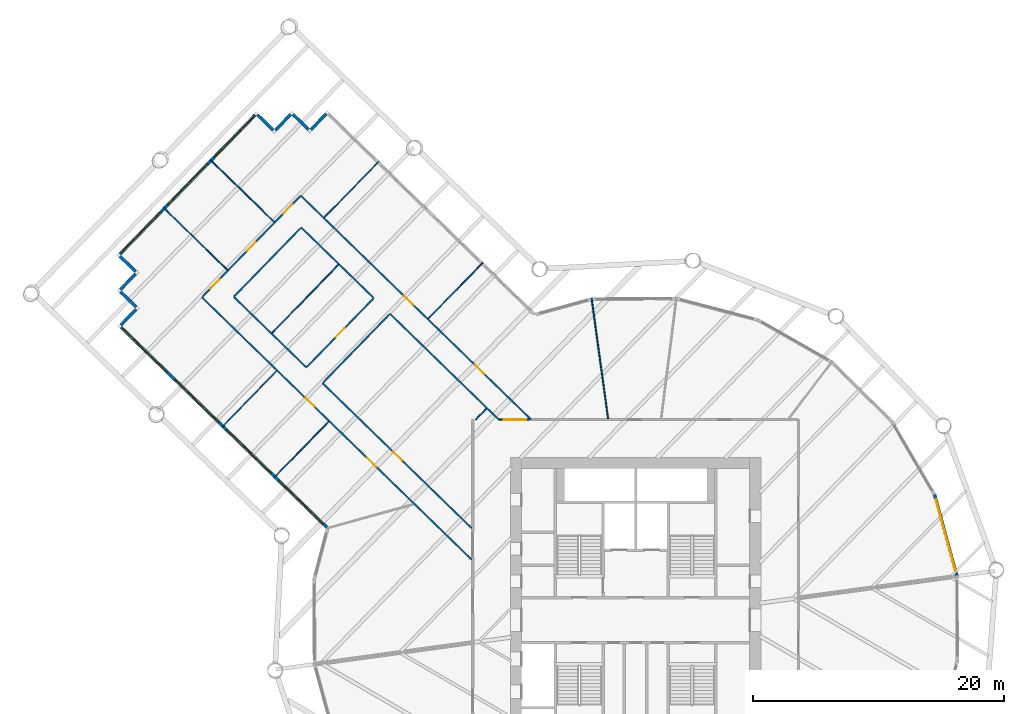
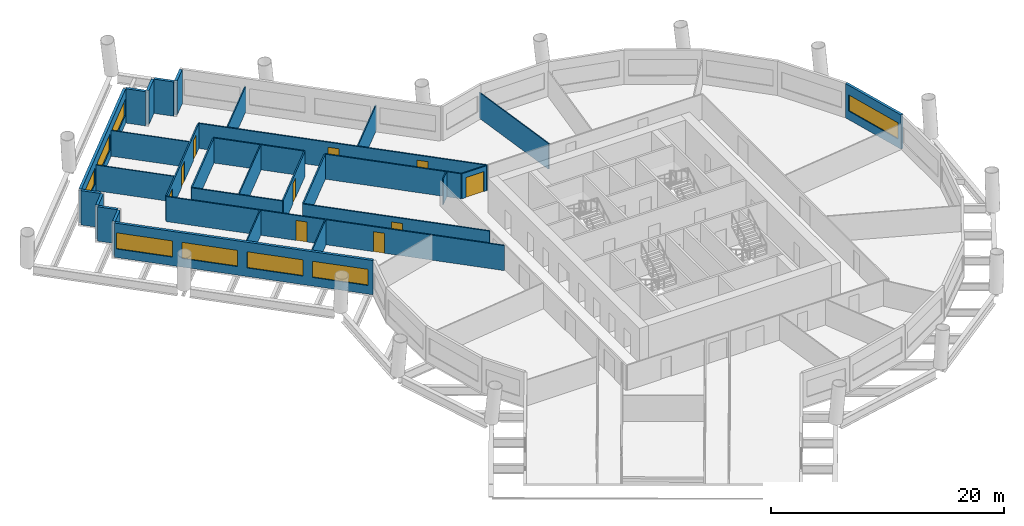
# One storey, part 6 of 12: 31 walls, 10 doors, 8 windows, 18 openings.
"""IFC4 building model written with IfcOpenShell, lengths in metres."""

import ifcopenshell
import ifcopenshell.guid

model = None  # the IFC model being written
_history = None  # IfcOwnerHistory: only IFC2X3 demands one
_inside = {}  # id of a spatial element -> (the spatial element, [elements in it])
_under = {}  # id of a project, library or spatial element -> (it, [spatial elements below it])
_declared = {}  # id of a project -> (the project, [libraries it declares])
_typed = {}  # id of a type object -> (the type object, [elements of that type])
_made_of = {}  # id of a material, layer set ... -> (it, [elements and type objects made of it])


def new_model(schema):
    """Start an empty IFC model of exactly this schema.

    Asked for "IFC4X3", IfcOpenShell would pick the latest addendum, in which some entities
    have other attributes; the version numbers below select the first issue.
    IFC2X3 requires an IfcOwnerHistory on every rooted entity: one is made here for all.
    """
    global model, _history
    if schema == "IFC4X3":
        model = ifcopenshell.file(schema_version=(4, 3, 0, 0))
    else:
        model = ifcopenshell.file(schema=schema)
    _inside.clear()
    _under.clear()
    _declared.clear()
    _typed.clear()
    _made_of.clear()
    _history = None
    if model.schema == "IFC2X3":
        org = make("IfcOrganization", Name="unknown")
        user = make(
            "IfcPersonAndOrganization",
            ThePerson=make("IfcPerson", FamilyName="unknown"),
            TheOrganization=org,
        )
        app = make(
            "IfcApplication",
            ApplicationDeveloper=org,
            Version="unknown",
            ApplicationFullName="unknown",
            ApplicationIdentifier="unknown",
        )
        _history = make(
            "IfcOwnerHistory",
            OwningUser=user,
            OwningApplication=app,
            ChangeAction="ADDED",
            CreationDate=0,
        )
    return model


def make(cls, **values):
    """One entity of the class cls with the attributes given. An attribute that is None is left unset."""
    return model.create_entity(
        cls, **{name: value for name, value in values.items() if value is not None}
    )


def rooted(cls, **values):
    """An entity with a GlobalId (a new one), such as an element, a storey or a relation."""
    return make(cls, GlobalId=ifcopenshell.guid.new(), OwnerHistory=_history, **values)


def si_unit(unit_type, name, prefix=None):
    """IfcSIUnit, for example si_unit("LENGTHUNIT", "METRE", prefix="MILLI")."""
    return make("IfcSIUnit", UnitType=unit_type, Prefix=prefix, Name=name)


def assignment(units):
    """IfcUnitAssignment: the units of a project."""
    return None if units is None else make("IfcUnitAssignment", Units=units)


def point(xyz):
    """IfcCartesianPoint."""
    return None if xyz is None else make("IfcCartesianPoint", Coordinates=xyz)


def direction(xyz):
    """IfcDirection."""
    return None if xyz is None else make("IfcDirection", DirectionRatios=xyz)


def frame(location, z_axis=None, x_axis=None):
    """IfcAxis2Placement3D, a coordinate frame: its origin and axes. An axis left out is left unset."""
    return make(
        "IfcAxis2Placement3D",
        Location=point(location),
        Axis=direction(z_axis),
        RefDirection=direction(x_axis),
    )


def frame_2d(location, x_axis=None):
    """IfcAxis2Placement2D, a coordinate frame in the plane: its origin and x axis."""
    return make(
        "IfcAxis2Placement2D", Location=point(location), RefDirection=direction(x_axis)
    )


def origin():
    """The frame at (0, 0, 0) with its axes left unset."""
    return frame((0.0, 0.0, 0.0))


def place(relative_to, where):
    """IfcLocalPlacement: puts the frame where relative to a parent placement (None: the world)."""
    return make(
        "IfcLocalPlacement", PlacementRelTo=relative_to, RelativePlacement=where
    )


def context(
    kind, dimensions, precision=None, world=None, true_north=None, identifier=None
):
    """IfcGeometricRepresentationContext, for example the 3D "Model" context."""
    return make(
        "IfcGeometricRepresentationContext",
        ContextIdentifier=identifier,
        ContextType=kind,
        CoordinateSpaceDimension=dimensions,
        Precision=precision,
        WorldCoordinateSystem=world,
        TrueNorth=true_north,
    )


def subcontext(parent, identifier, kind, view, scale=None):
    """IfcGeometricRepresentationSubContext, for example "Body" below "Model"."""
    return make(
        "IfcGeometricRepresentationSubContext",
        ContextIdentifier=identifier,
        ContextType=kind,
        ParentContext=parent,
        TargetScale=scale,
        TargetView=view,
    )


def project(units=None, contexts=None):
    """IfcProject with its units and contexts."""
    return rooted(
        "IfcProject",
        Name="project",
        RepresentationContexts=contexts,
        UnitsInContext=assignment(units),
    )


def spatial(cls, under=None, at=None, **own):
    """A site, building, storey or space (cls), placed at a placement, below another one or the project."""
    s = rooted(cls, ObjectPlacement=at, **own)
    if under is not None:
        _under.setdefault(under.id(), (under, []))[1].append(s)
    return s


def profile(cls, at=None, kind="AREA", **sizes):
    """A parametric profile (cls). Its sizes go by their IFC names, for example OverallWidth=200.0."""
    return make(cls, ProfileType=kind, Position=at, **sizes)


def rectangle(**sizes):
    """IfcRectangleProfileDef."""
    return profile("IfcRectangleProfileDef", **sizes)


def extrude(swept, where, along, depth):
    """IfcExtrudedAreaSolid: the profile swept, set in the frame where, extruded along a direction by depth."""
    return make(
        "IfcExtrudedAreaSolid",
        SweptArea=swept,
        Position=where,
        ExtrudedDirection=direction(along),
        Depth=depth,
    )


def shape(context_of_items, identifier, shape_type, items):
    """IfcShapeRepresentation: the items that make up one representation, for example the "Body"."""
    return make(
        "IfcShapeRepresentation",
        ContextOfItems=context_of_items,
        RepresentationIdentifier=identifier,
        RepresentationType=shape_type,
        Items=items,
    )


def material(Name=None, Category=None):
    """IfcMaterial."""
    return make("IfcMaterial", Name=Name, Category=Category)


def layer(
    of_material, thickness, ventilated=None, Name=None, Category=None, Priority=None
):
    """IfcMaterialLayer: one layer of a wall or slab, of a material (None: an air gap)."""
    return make(
        "IfcMaterialLayer",
        Material=of_material,
        LayerThickness=thickness,
        IsVentilated=ventilated,
        Name=Name,
        Category=Category,
        Priority=Priority,
    )


def layer_set(layers, Name=None):
    """IfcMaterialLayerSet."""
    return make("IfcMaterialLayerSet", MaterialLayers=layers, LayerSetName=Name)


def made_of(thing, what):
    """Note that an element or type object is made of a material, layer set ...; save() writes the relation."""
    if what is not None:
        _made_of.setdefault(what.id(), (what, []))[1].append(thing)
    return thing


def type_object(cls, material=None, **own):
    """A type object (cls), such as IfcWallType, which elements share."""
    return made_of(rooted(cls, **own), material)


def element(
    cls,
    number,
    at=None,
    inside=None,
    cuts=None,
    type_object=None,
    material=None,
    context=None,
    identifier="Body",
    shape_type=None,
    held_by="IfcProductDefinitionShape",
    body=None,
    shapes=None,
    **own,
):
    """One element of the class cls, such as IfcWall. Its Tag is "e" and its number.

    at: its placement. inside: the storey or other place that contains it. cuts: it is an
    opening in that element (IfcRelVoidsElement). A single representation is given by context,
    identifier, shape_type and body (its items); several are given by shapes. held_by: the class
    of the entity that holds the representations. save() writes the other relations.
    """
    e = rooted(cls, Tag="e%d" % number, ObjectPlacement=at, **own)
    if body is not None:
        shapes = [shape(context, identifier, shape_type, body)]
    if shapes is not None:
        e.Representation = make(held_by, Representations=shapes)
    if inside is not None:
        _inside.setdefault(inside.id(), (inside, []))[1].append(e)
    if cuts is not None:
        rooted(
            "IfcRelVoidsElement", RelatingBuildingElement=cuts, RelatedOpeningElement=e
        )
    if type_object is not None:
        _typed.setdefault(type_object.id(), (type_object, []))[1].append(e)
    return made_of(e, material)


def fill(opening, filler):
    """IfcRelFillsElement: the door or window that sits in an opening."""
    return rooted(
        "IfcRelFillsElement",
        RelatingOpeningElement=opening,
        RelatedBuildingElement=filler,
    )


def aggregate(whole, parts):
    """IfcRelAggregates: a whole, such as a stair, and the parts it consists of."""
    return rooted("IfcRelAggregates", RelatingObject=whole, RelatedObjects=parts)


def save(model, path):
    """Write the relations noted so far, then the file.

    IfcRelAggregates (storeys below a building ...), IfcRelContainedInSpatialStructure (elements
    in a storey), IfcRelDefinesByType, IfcRelAssociatesMaterial and IfcRelDeclares: one each for
    every whole, place, type object, material and project.
    """
    for whole, parts in _under.values():
        aggregate(whole, parts)
    for where, things in _inside.values():
        rooted(
            "IfcRelContainedInSpatialStructure",
            RelatedElements=things,
            RelatingStructure=where,
        )
    for kind, things in _typed.values():
        rooted("IfcRelDefinesByType", RelatedObjects=things, RelatingType=kind)
    for what, things in _made_of.values():
        rooted("IfcRelAssociatesMaterial", RelatedObjects=things, RelatingMaterial=what)
    for by, libraries in _declared.values():
        rooted("IfcRelDeclares", RelatingContext=by, RelatedDefinitions=libraries)
    model.write(path)


model = new_model("IFC4")

# Units and contexts
model_context = context("Model", 3, precision=1e-05, world=origin(), true_north=direction((0.0, 1.0)))
body_context = subcontext(model_context, "Body", "Model", "MODEL_VIEW")
ifc_project = project(units=[si_unit("LENGTHUNIT", "METRE"), si_unit("AREAUNIT", "SQUARE_METRE"), si_unit("VOLUMEUNIT", "CUBIC_METRE"), si_unit("PLANEANGLEUNIT", "RADIAN"), si_unit("MASSUNIT", "GRAM", prefix="KILO")], contexts=[model_context])

# Site, building, storey
site_placement = place(None, origin())
site = spatial("IfcSite", under=ifc_project, at=site_placement, CompositionType="ELEMENT")
building_placement = place(site_placement, origin())
building = spatial("IfcBuilding", under=site, at=building_placement, Name="Tarsis Ring Headquarters", CompositionType="ELEMENT")
storey_placement = place(building_placement, frame((0.0, 0.0, 82.89990234375)))
storey = spatial("IfcBuildingStorey", under=building, at=storey_placement, Name="L18", CompositionType="ELEMENT", Elevation=82.89990234375)

# Walls
ifc_material_1 = material(Name="Gypsum board on steel studs", Category="steel")
ifc_layer_1 = layer(ifc_material_1, 0.10009765625)
ifc_layer_set_1 = layer_set([ifc_layer_1], Name="FL partition 100 unrated")
wall_type_1 = type_object("IfcWallType", Name="FL partition 100 unrated", PredefinedType="PARTITIONING", material=ifc_layer_set_1)
wall_1_placement = place(storey_placement, frame((-3.521484375, 25.707763671875, 0.0), z_axis=(0.0, 0.0, 1.0), x_axis=(0.135716796635, -0.990747672776, 0.0)))
element("IfcWall", 1, at=wall_1_placement, inside=storey, type_object=wall_type_1, Name="Partition PW3", PredefinedType="PARTITIONING", context=body_context, shape_type="SweptSolid", body=[
    extrude(rectangle(XDim=9.728515625, YDim=0.10009765625, at=frame_2d((4.8642578125, 0.0))), origin(), (0.0, 0.0, 1.0), 2.7001953125),
])
wall_2_placement = place(storey_placement, frame((-29.01025390625, 22.924560546875, 0.0), z_axis=(0.0, 0.0, 1.0), x_axis=(0.697166234004, 0.716909507654, 0.0)))
element("IfcWall", 2, at=wall_2_placement, inside=storey, type_object=wall_type_1, Name="Partition PW3", PredefinedType="PARTITIONING", context=body_context, shape_type="SweptSolid", body=[
    extrude(rectangle(XDim=7.580322265625, YDim=0.10009765625, at=frame_2d((3.7900390625, 0.0))), origin(), (0.0, 0.0, 1.0), 2.7001953125),
])
wall_3_placement = place(storey_placement, frame((-37.671142578125, 32.9091796875, 0.0), z_axis=(0.0, 0.0, 1.0), x_axis=(0.716923782393, -0.697151554714, 0.0)))
element("IfcWall", 3, at=wall_3_placement, inside=storey, type_object=wall_type_1, Name="Partition PW3", PredefinedType="PARTITIONING", context=body_context, shape_type="SweptSolid", body=[
    extrude(rectangle(XDim=7.099853515625, YDim=0.10009765625, at=frame_2d((3.5498046875, 0.0))), origin(), (0.0, 0.0, 1.0), 2.7001953125),
])
wall_4_placement = place(storey_placement, frame((-33.9482421875, 36.737548828125, 0.0), z_axis=(0.0, 0.0, 1.0), x_axis=(0.716906596067, -0.697169228033, 0.0)))
element("IfcWall", 4, at=wall_4_placement, inside=storey, type_object=wall_type_1, Name="Partition PW3", PredefinedType="PARTITIONING", context=body_context, shape_type="SweptSolid", body=[
    extrude(rectangle(XDim=7.10009765625, YDim=0.10009765625, at=frame_2d((3.550048828125, 0.0))), origin(), (0.0, 0.0, 1.0), 2.7001953125),
])
for number, where, z_axis, x_axis, name in (
    (5, (-16.53759765625, 24.07470703125, 0.0), (0.0, 0.0, 1.0), (0.69716638626, 0.716909359591, 0.0), "Partition PW3"),
    (6, (-24.832275390625, 32.140869140625, 0.0), (0.0, 0.0, 1.0), (0.69716638626, 0.716909359591, 0.0), "Partition PW3"),
    (7, (-28.84912109375, 11.3857421875, 0.0), (0.0, 0.0, 1.0), (0.69716638626, 0.716909359591, 0.0), "Partition PW3"),
    (8, (-33.0, 15.42236328125, 0.0), (0.0, 0.0, 1.0), (0.697146212312, 0.716928977416, 0.0), "Partition PW3"),
):
    element("IfcWall", number, at=place(storey_placement, frame(where, z_axis=z_axis, x_axis=x_axis)), inside=storey, type_object=wall_type_1, Name=name, PredefinedType="PARTITIONING", context=body_context, shape_type="SweptSolid", body=[
        extrude(rectangle(XDim=6.219970703125, YDim=0.10009765625, at=frame_2d((3.10986328125, 0.0))), origin(), (0.0, 0.0, 1.0), 2.7001953125),
    ])
wall_5_placement = place(storey_placement, frame((-12.772705078125, 15.997802734375, 0.0), z_axis=(0.0, 0.0, 1.0), x_axis=(0.697177943914, 0.716898120042, 0.0)))
element("IfcWall", 9, at=wall_5_placement, inside=storey, type_object=wall_type_1, Name="Partition PW3", PredefinedType="PARTITIONING", context=body_context, shape_type="SweptSolid", body=[
    extrude(rectangle(XDim=1.2255859375, YDim=0.10009765625, at=frame_2d((0.61279296875, 0.0))), origin(), (0.0, 0.0, 1.0), 2.7001953125),
])

# Wall, openings, doors
ifc_layer_2 = layer(ifc_material_1, 0.125)
ifc_layer_set_2 = layer_set([ifc_layer_2], Name="FL partition 125 EI 60 H2630")
wall_type_2 = type_object("IfcWallType", Name="FL partition 125 EI 60 H2630", PredefinedType="PARTITIONING", material=ifc_layer_set_2)
wall_6_placement = place(storey_placement, frame((-34.615478515625, 25.76708984375, 0.0), z_axis=(0.0, 0.0, 1.0), x_axis=(0.71691057352, -0.697165137952, 0.0)))
wall_6 = element("IfcWall", 10, at=wall_6_placement, inside=storey, type_object=wall_type_2, Name="Partition PW1H263", PredefinedType="PARTITIONING", context=body_context, shape_type="SweptSolid", body=[
    extrude(rectangle(XDim=30.020751953125, YDim=0.125, at=frame_2d((15.01025390625, 0.0))), origin(), (0.0, 0.0, 1.0), 2.630126953125),
])
opening_1_placement = place(wall_6_placement, frame((18.404296875, 0.0, 0.0)))
opening_1 = element("IfcOpeningElement", 11, at=opening_1_placement, cuts=wall_6, Name="Opening D18.19", PredefinedType="OPENING", context=body_context, shape_type="SweptSolid", body=[
    extrude(rectangle(XDim=1.0, YDim=2.10009765625, at=frame_2d((0.5, 1.050048828125))), frame((0.0, 0.072509765625, 0.0), z_axis=(0.0, -1.0, 0.0), x_axis=(1.0, 0.0, 0.0)), (0.0, 0.0, 1.0), 0.14501953125),
])
opening_2_placement = place(wall_6_placement, frame((11.51953125, 0.0, 0.0)))
opening_2 = element("IfcOpeningElement", 12, at=opening_2_placement, cuts=wall_6, Name="Opening D18.20", PredefinedType="OPENING", context=body_context, shape_type="SweptSolid", body=[
    extrude(rectangle(XDim=1.0, YDim=2.10009765625, at=frame_2d((0.5, 1.050048828125))), frame((0.0, 0.072509765625, 0.0), z_axis=(0.0, -1.0, 0.0), x_axis=(1.0, 0.0, 0.0)), (0.0, 0.0, 1.0), 0.14501953125),
])
ifc_material_2 = material(Name="Fire-rated timber door leaf in steel frame", Category="steel")
door_type_1 = type_object("IfcDoorType", Name="FL door FD60-1000", OperationType="NOTDEFINED", PredefinedType="DOOR", material=ifc_material_2)
door_1_placement = place(opening_1_placement, origin())
door_1 = element("IfcDoor", 13, at=door_1_placement, inside=storey, type_object=door_type_1, Name="Door D18.19", OperationType="SINGLE_SWING_LEFT", OverallHeight=2.10009765625, OverallWidth=1.0, PredefinedType="DOOR", context=body_context, shape_type="SweptSolid", body=[
    extrude(rectangle(XDim=1.0, YDim=2.10009765625, at=frame_2d((0.5, 1.050048828125))), frame((0.0, 0.02490234375, 0.0), z_axis=(0.0, -1.0, 0.0), x_axis=(1.0, 0.0, 0.0)), (0.0, 0.0, 1.0), 0.050048828125),
])
fill(opening_1, door_1)
door_2_placement = place(opening_2_placement, origin())
door_2 = element("IfcDoor", 14, at=door_2_placement, inside=storey, type_object=door_type_1, Name="Door D18.20", OperationType="SINGLE_SWING_RIGHT", OverallHeight=2.10009765625, OverallWidth=1.0, PredefinedType="DOOR", context=body_context, shape_type="SweptSolid", body=[
    extrude(rectangle(XDim=1.0, YDim=2.10009765625, at=frame_2d((0.5, 1.050048828125))), frame((0.0, 0.02490234375, 0.0), z_axis=(0.0, -1.0, 0.0), x_axis=(1.0, 0.0, 0.0)), (0.0, 0.0, 1.0), 0.050048828125),
])
fill(opening_2, door_2)

wall_7_placement = place(storey_placement, frame((-26.723388671875, 33.88232421875, 0.0), z_axis=(0.0, 0.0, 1.0), x_axis=(0.716908226606, -0.697167551328, 0.0)))
wall_7 = element("IfcWall", 15, at=wall_7_placement, inside=storey, type_object=wall_type_2, Name="Partition PW1H263", PredefinedType="PARTITIONING", context=body_context, shape_type="SweptSolid", body=[
    extrude(rectangle(XDim=25.64990234375, YDim=0.125, at=frame_2d((12.824951171875, 0.0))), origin(), (0.0, 0.0, 1.0), 2.630126953125),
])
opening_3_placement = place(wall_7_placement, frame((11.51171875, 0.0, 0.0)))
opening_3 = element("IfcOpeningElement", 16, at=opening_3_placement, cuts=wall_7, Name="Opening D18.04", PredefinedType="OPENING", context=body_context, shape_type="SweptSolid", body=[
    extrude(rectangle(XDim=1.0, YDim=2.10009765625, at=frame_2d((0.5, 1.050048828125))), frame((0.0, 0.072509765625, 0.0), z_axis=(0.0, -1.0, 0.0), x_axis=(1.0, 0.0, 0.0)), (0.0, 0.0, 1.0), 0.14501953125),
])
opening_4_placement = place(wall_7_placement, frame((19.396728515625, 0.0, 0.0)))
opening_4 = element("IfcOpeningElement", 17, at=opening_4_placement, cuts=wall_7, Name="Opening D18.05", PredefinedType="OPENING", context=body_context, shape_type="SweptSolid", body=[
    extrude(rectangle(XDim=1.0, YDim=2.10009765625, at=frame_2d((0.5, 1.050048828125))), frame((0.0, 0.072509765625, 0.0), z_axis=(0.0, -1.0, 0.0), x_axis=(1.0, 0.0, 0.0)), (0.0, 0.0, 1.0), 0.14501953125),
])
door_3_placement = place(opening_3_placement, origin())
door_3 = element("IfcDoor", 18, at=door_3_placement, inside=storey, type_object=door_type_1, Name="Door D18.04", OperationType="SINGLE_SWING_RIGHT", OverallHeight=2.10009765625, OverallWidth=1.0, PredefinedType="DOOR", context=body_context, shape_type="SweptSolid", body=[
    extrude(rectangle(XDim=1.0, YDim=2.10009765625, at=frame_2d((0.5, 1.050048828125))), frame((0.0, 0.02490234375, 0.0), z_axis=(0.0, -1.0, 0.0), x_axis=(1.0, 0.0, 0.0)), (0.0, 0.0, 1.0), 0.050048828125),
])
fill(opening_3, door_3)
door_4_placement = place(opening_4_placement, origin())
door_4 = element("IfcDoor", 19, at=door_4_placement, inside=storey, type_object=door_type_1, Name="Door D18.05", OperationType="SINGLE_SWING_LEFT", OverallHeight=2.10009765625, OverallWidth=1.0, PredefinedType="DOOR", context=body_context, shape_type="SweptSolid", body=[
    extrude(rectangle(XDim=1.0, YDim=2.10009765625, at=frame_2d((0.5, 1.050048828125))), frame((0.0, 0.02490234375, 0.0), z_axis=(0.0, -1.0, 0.0), x_axis=(1.0, 0.0, 0.0)), (0.0, 0.0, 1.0), 0.050048828125),
])
fill(opening_4, door_4)

# Wall, opening, door
wall_8_placement = place(storey_placement, frame((-10.91650390625, 16.0, 0.0), z_axis=(0.0, 0.0, 1.0), x_axis=(1.0, 0.0, 0.0)))
wall_8 = element("IfcWall", 20, at=wall_8_placement, inside=storey, type_object=wall_type_2, Name="Partition PW1H263", PredefinedType="PARTITIONING", context=body_context, shape_type="SweptSolid", body=[
    extrude(rectangle(XDim=2.427978515625, YDim=0.125, at=frame_2d((1.2138671875, 0.0))), origin(), (0.0, 0.0, 1.0), 2.630126953125),
])
opening_5_placement = place(wall_8_placement, frame((0.390869140625, 0.0, 0.0)))
opening_5 = element("IfcOpeningElement", 21, at=opening_5_placement, cuts=wall_8, Name="Opening D18.29", PredefinedType="OPENING", context=body_context, shape_type="SweptSolid", body=[
    extrude(rectangle(XDim=1.800048828125, YDim=2.10009765625, at=frame_2d((0.89990234375, 1.050048828125))), frame((0.0, 0.072509765625, 0.0), z_axis=(0.0, -1.0, 0.0), x_axis=(1.0, 0.0, 0.0)), (0.0, 0.0, 1.0), 0.14501953125),
])
door_type_2 = type_object("IfcDoorType", Name="FL door FD60-1800", OperationType="DOUBLE_DOOR_SINGLE_SWING", PredefinedType="DOOR", material=ifc_material_2)
door_5_placement = place(opening_5_placement, origin())
door_5 = element("IfcDoor", 22, at=door_5_placement, inside=storey, type_object=door_type_2, Name="Door D18.29", OperationType="DOUBLE_DOOR_SINGLE_SWING", OverallHeight=2.10009765625, OverallWidth=1.800048828125, PredefinedType="DOOR", context=body_context, shape_type="SweptSolid", body=[
    extrude(rectangle(XDim=1.800048828125, YDim=2.10009765625, at=frame_2d((0.89990234375, 1.050048828125))), frame((0.0, 0.02490234375, 0.0), z_axis=(0.0, -1.0, 0.0), x_axis=(1.0, 0.0, 0.0)), (0.0, 0.0, 1.0), 0.050048828125),
])
fill(opening_5, door_5)

wall_9_placement = place(storey_placement, frame((-24.987060546875, 18.91455078125, 0.0), z_axis=(0.0, 0.0, 1.0), x_axis=(0.71691216993, -0.697163496324, 0.0)))
wall_9 = element("IfcWall", 23, at=wall_9_placement, inside=storey, type_object=wall_type_2, Name="Partition PW1H263", PredefinedType="PARTITIONING", context=body_context, shape_type="SweptSolid", body=[
    extrude(rectangle(XDim=16.59033203125, YDim=0.125, at=frame_2d((8.295166015625, 0.0))), origin(), (0.0, 0.0, 1.0), 2.630126953125),
])
opening_6_placement = place(wall_9_placement, frame((7.860107421875, 0.0, 0.0)))
opening_6 = element("IfcOpeningElement", 24, at=opening_6_placement, cuts=wall_9, Name="Opening D18.21", PredefinedType="OPENING", context=body_context, shape_type="SweptSolid", body=[
    extrude(rectangle(XDim=1.0, YDim=2.10009765625, at=frame_2d((0.5, 1.050048828125))), frame((0.0, 0.072509765625, 0.0), z_axis=(0.0, -1.0, 0.0), x_axis=(1.0, 0.0, 0.0)), (0.0, 0.0, 1.0), 0.14501953125),
])
door_6_placement = place(opening_6_placement, origin())
door_6 = element("IfcDoor", 25, at=door_6_placement, inside=storey, type_object=door_type_1, Name="Door D18.21", OperationType="SINGLE_SWING_LEFT", OverallHeight=2.10009765625, OverallWidth=1.0, PredefinedType="DOOR", context=body_context, shape_type="SweptSolid", body=[
    extrude(rectangle(XDim=1.0, YDim=2.10009765625, at=frame_2d((0.5, 1.050048828125))), frame((0.0, 0.02490234375, 0.0), z_axis=(0.0, -1.0, 0.0), x_axis=(1.0, 0.0, 0.0)), (0.0, 0.0, 1.0), 0.050048828125),
])
fill(opening_6, door_6)

# Wall
wall_10_placement = place(storey_placement, frame((-19.60498046875, 24.44921875, 0.0), z_axis=(0.0, 0.0, 1.0), x_axis=(0.716913045493, -0.697162595958, 0.0)))
element("IfcWall", 26, at=wall_10_placement, inside=storey, type_object=wall_type_2, Name="Partition PW1H263", PredefinedType="PARTITIONING", context=body_context, shape_type="SweptSolid", body=[
    extrude(rectangle(XDim=12.08935546875, YDim=0.125, at=frame_2d((6.044677734375, 0.0))), origin(), (0.0, 0.0, 1.0), 2.630126953125),
])

# Wall, openings, doors
wall_11_placement = place(storey_placement, frame((-34.573486328125, 25.81005859375, 0.0), z_axis=(0.0, 0.0, 1.0), x_axis=(0.697163057992, 0.716912596187, 0.0)))
wall_11 = element("IfcWall", 27, at=wall_11_placement, inside=storey, type_object=wall_type_2, Name="Partition PW1H263", PredefinedType="PARTITIONING", context=body_context, shape_type="SweptSolid", body=[
    extrude(rectangle(XDim=11.19970703125, YDim=0.125, at=frame_2d((5.599853515625, 0.0))), origin(), (0.0, 0.0, 1.0), 2.630126953125),
])
opening_7_placement = place(wall_11_placement, frame((0.936767578125, 0.0, 0.0)))
opening_7 = element("IfcOpeningElement", 28, at=opening_7_placement, cuts=wall_11, Name="Opening D18.01", PredefinedType="OPENING", context=body_context, shape_type="SweptSolid", body=[
    extrude(rectangle(XDim=1.0, YDim=2.10009765625, at=frame_2d((0.5, 1.050048828125))), frame((0.0, 0.072509765625, 0.0), z_axis=(0.0, -1.0, 0.0), x_axis=(1.0, 0.0, 0.0)), (0.0, 0.0, 1.0), 0.14501953125),
])
opening_8_placement = place(wall_11_placement, frame((5.10009765625, 0.0, 0.0)))
opening_8 = element("IfcOpeningElement", 29, at=opening_8_placement, cuts=wall_11, Name="Opening D18.02", PredefinedType="OPENING", context=body_context, shape_type="SweptSolid", body=[
    extrude(rectangle(XDim=1.0, YDim=2.10009765625, at=frame_2d((0.5, 1.050048828125))), frame((0.0, 0.072509765625, 0.0), z_axis=(0.0, -1.0, 0.0), x_axis=(1.0, 0.0, 0.0)), (0.0, 0.0, 1.0), 0.14501953125),
])
opening_9_placement = place(wall_11_placement, frame((9.26318359375, 0.0, 0.0)))
opening_9 = element("IfcOpeningElement", 30, at=opening_9_placement, cuts=wall_11, Name="Opening D18.03", PredefinedType="OPENING", context=body_context, shape_type="SweptSolid", body=[
    extrude(rectangle(XDim=1.0, YDim=2.10009765625, at=frame_2d((0.5, 1.050048828125))), frame((0.0, 0.072509765625, 0.0), z_axis=(0.0, -1.0, 0.0), x_axis=(1.0, 0.0, 0.0)), (0.0, 0.0, 1.0), 0.14501953125),
])
door_7_placement = place(opening_7_placement, origin())
door_7 = element("IfcDoor", 31, at=door_7_placement, inside=storey, type_object=door_type_1, Name="Door D18.01", OperationType="SINGLE_SWING_LEFT", OverallHeight=2.10009765625, OverallWidth=1.0, PredefinedType="DOOR", context=body_context, shape_type="SweptSolid", body=[
    extrude(rectangle(XDim=1.0, YDim=2.10009765625, at=frame_2d((0.5, 1.050048828125))), frame((0.0, 0.02490234375, 0.0), z_axis=(0.0, -1.0, 0.0), x_axis=(1.0, 0.0, 0.0)), (0.0, 0.0, 1.0), 0.050048828125),
])
fill(opening_7, door_7)
door_8_placement = place(opening_8_placement, origin())
door_8 = element("IfcDoor", 32, at=door_8_placement, inside=storey, type_object=door_type_1, Name="Door D18.02", OperationType="SINGLE_SWING_RIGHT", OverallHeight=2.10009765625, OverallWidth=1.0, PredefinedType="DOOR", context=body_context, shape_type="SweptSolid", body=[
    extrude(rectangle(XDim=1.0, YDim=2.10009765625, at=frame_2d((0.5, 1.050048828125))), frame((0.0, 0.02490234375, 0.0), z_axis=(0.0, -1.0, 0.0), x_axis=(1.0, 0.0, 0.0)), (0.0, 0.0, 1.0), 0.050048828125),
])
fill(opening_8, door_8)
door_9_placement = place(opening_9_placement, origin())
door_9 = element("IfcDoor", 33, at=door_9_placement, inside=storey, type_object=door_type_1, Name="Door D18.03", OperationType="SINGLE_SWING_LEFT", OverallHeight=2.10009765625, OverallWidth=1.0, PredefinedType="DOOR", context=body_context, shape_type="SweptSolid", body=[
    extrude(rectangle(XDim=1.0, YDim=2.10009765625, at=frame_2d((0.5, 1.050048828125))), frame((0.0, 0.02490234375, 0.0), z_axis=(0.0, -1.0, 0.0), x_axis=(1.0, 0.0, 0.0)), (0.0, 0.0, 1.0), 0.050048828125),
])
fill(opening_9, door_9)

# Walls
for number, where, z_axis, x_axis, name in (
    (34, (-32.070068359375, 25.802490234375, 0.0), (0.0, 0.0, 1.0), (0.716918147738, -0.697157349128, 0.0), "Partition PW1H263"),
    (35, (-26.68798828125, 31.337158203125, 0.0), (0.0, 0.0, 1.0), (0.716918147738, -0.697157349128, 0.0), "Partition PW1H263"),
):
    element("IfcWall", number, at=place(storey_placement, frame(where, z_axis=z_axis, x_axis=x_axis)), inside=storey, type_object=wall_type_2, Name=name, PredefinedType="PARTITIONING", context=body_context, shape_type="SweptSolid", body=[
        extrude(rectangle(XDim=8.080078125, YDim=0.125, at=frame_2d((4.0400390625, 0.0))), origin(), (0.0, 0.0, 1.0), 2.630126953125),
    ])
wall_12_placement = place(storey_placement, frame((-32.0283203125, 25.845703125, 0.0), z_axis=(0.0, 0.0, 1.0), x_axis=(0.697176095236, 0.716899917863, 0.0)))
element("IfcWall", 36, at=wall_12_placement, inside=storey, type_object=wall_type_2, Name="Partition PW1H263", PredefinedType="PARTITIONING", context=body_context, shape_type="SweptSolid", body=[
    extrude(rectangle(XDim=7.60009765625, YDim=0.125, at=frame_2d((3.800048828125, 0.0))), origin(), (0.0, 0.0, 1.0), 2.630126953125),
])
wall_13_placement = place(storey_placement, frame((-24.945068359375, 18.95751953125, 0.0), z_axis=(0.0, 0.0, 1.0), x_axis=(0.697159584958, 0.716915973529, 0.0)))
element("IfcWall", 37, at=wall_13_placement, inside=storey, type_object=wall_type_2, Name="Partition PW1H263", PredefinedType="PARTITIONING", context=body_context, shape_type="SweptSolid", body=[
    extrude(rectangle(XDim=7.599853515625, YDim=0.125, at=frame_2d((3.7998046875, 0.0))), origin(), (0.0, 0.0, 1.0), 2.630126953125),
])

# Wall, opening, door
wall_14_placement = place(storey_placement, frame((-26.235595703125, 20.21240234375, 0.0), z_axis=(0.0, 0.0, 1.0), x_axis=(0.697176095236, 0.716899917863, 0.0)))
wall_14 = element("IfcWall", 38, at=wall_14_placement, inside=storey, type_object=wall_type_2, Name="Partition PW1H263", PredefinedType="PARTITIONING", context=body_context, shape_type="SweptSolid", body=[
    extrude(rectangle(XDim=7.60009765625, YDim=0.125, at=frame_2d((3.800048828125, 0.0))), origin(), (0.0, 0.0, 1.0), 2.630126953125),
])
opening_10_placement = place(wall_14_placement, frame((3.300048828125, 0.0, 0.0)))
opening_10 = element("IfcOpeningElement", 39, at=opening_10_placement, cuts=wall_14, Name="Opening D18.25", PredefinedType="OPENING", context=body_context, shape_type="SweptSolid", body=[
    extrude(rectangle(XDim=1.0, YDim=2.10009765625, at=frame_2d((0.5, 1.050048828125))), frame((0.0, 0.072509765625, 0.0), z_axis=(0.0, -1.0, 0.0), x_axis=(1.0, 0.0, 0.0)), (0.0, 0.0, 1.0), 0.14501953125),
])
door_10_placement = place(opening_10_placement, origin())
door_10 = element("IfcDoor", 40, at=door_10_placement, inside=storey, type_object=door_type_1, Name="Door D18.25", OperationType="SINGLE_SWING_LEFT", OverallHeight=2.10009765625, OverallWidth=1.0, PredefinedType="DOOR", context=body_context, shape_type="SweptSolid", body=[
    extrude(rectangle(XDim=1.0, YDim=2.10009765625, at=frame_2d((0.5, 1.050048828125))), frame((0.0, 0.02490234375, 0.0), z_axis=(0.0, -1.0, 0.0), x_axis=(1.0, 0.0, 0.0)), (0.0, 0.0, 1.0), 0.050048828125),
])
fill(opening_10, door_10)

# Wall, openings, windows
ifc_material_3 = material(Name="Terracotta clad insulated panel wall", Category="masonry")
ifc_layer_3 = layer(ifc_material_3, 0.25)
ifc_layer_set_3 = layer_set([ifc_layer_3], Name="Facade wall terracotta panel 250")
wall_type_3 = type_object("IfcWallType", Name="Facade wall terracotta panel 250", PredefinedType="STANDARD", material=ifc_layer_set_3)
wall_15_placement = place(storey_placement, frame((-41.077392578125, 23.382080078125, 0.0), z_axis=(0.0, 0.0, 1.0), x_axis=(0.716906042252, -0.697169797526, 0.0)))
wall_15 = element("IfcWall", 41, at=wall_15_placement, inside=storey, type_object=wall_type_3, Name="External wall L18-01", PredefinedType="STANDARD", context=body_context, shape_type="SweptSolid", body=[
    extrude(rectangle(XDim=22.921875, YDim=0.25, at=frame_2d((11.4609375, 0.0))), origin(), (0.0, 0.0, 1.0), 3.60009765625),
])
opening_11_placement = place(wall_15_placement, frame((0.17138671875, 0.0, 0.89990234375)))
opening_11 = element("IfcOpeningElement", 42, at=opening_11_placement, cuts=wall_15, Name="Opening WN05", PredefinedType="OPENING", context=body_context, shape_type="SweptSolid", body=[
    extrude(rectangle(XDim=4.949951171875, YDim=1.699951171875, at=frame_2d((2.47509765625, 0.85009765625))), frame((0.0, 0.135009765625, 0.0), z_axis=(0.0, -1.0, 0.0), x_axis=(1.0, 0.0, 0.0)), (0.0, 0.0, 1.0), 0.27001953125),
])
opening_12_placement = place(wall_15_placement, frame((5.964599609375, 0.0, 0.89990234375)))
opening_12 = element("IfcOpeningElement", 43, at=opening_12_placement, cuts=wall_15, Name="Opening WN05", PredefinedType="OPENING", context=body_context, shape_type="SweptSolid", body=[
    extrude(rectangle(XDim=4.949951171875, YDim=1.699951171875, at=frame_2d((2.47509765625, 0.85009765625))), frame((0.0, 0.135009765625, 0.0), z_axis=(0.0, -1.0, 0.0), x_axis=(1.0, 0.0, 0.0)), (0.0, 0.0, 1.0), 0.27001953125),
])
opening_13_placement = place(wall_15_placement, frame((11.757568359375, 0.0, 0.89990234375)))
opening_13 = element("IfcOpeningElement", 44, at=opening_13_placement, cuts=wall_15, Name="Opening WN05", PredefinedType="OPENING", context=body_context, shape_type="SweptSolid", body=[
    extrude(rectangle(XDim=4.949951171875, YDim=1.699951171875, at=frame_2d((2.47509765625, 0.85009765625))), frame((0.0, 0.135009765625, 0.0), z_axis=(0.0, -1.0, 0.0), x_axis=(1.0, 0.0, 0.0)), (0.0, 0.0, 1.0), 0.27001953125),
])
opening_14_placement = place(wall_15_placement, frame((17.550537109375, 0.0, 0.89990234375)))
opening_14 = element("IfcOpeningElement", 45, at=opening_14_placement, cuts=wall_15, Name="Opening WN05", PredefinedType="OPENING", context=body_context, shape_type="SweptSolid", body=[
    extrude(rectangle(XDim=4.949951171875, YDim=1.699951171875, at=frame_2d((2.47509765625, 0.85009765625))), frame((0.0, 0.135009765625, 0.0), z_axis=(0.0, -1.0, 0.0), x_axis=(1.0, 0.0, 0.0)), (0.0, 0.0, 1.0), 0.27001953125),
])
ifc_material_4 = material(Name="Aluminium framed double glazing", Category="aluminium")
window_type_1 = type_object("IfcWindowType", Name="Facade window 4950 x 1700", PartitioningType="SINGLE_PANEL", PredefinedType="WINDOW", material=ifc_material_4)
window_1_placement = place(opening_11_placement, origin())
window_1 = element("IfcWindow", 46, at=window_1_placement, inside=storey, type_object=window_type_1, Name="Window L18-01.1", OverallHeight=1.699951171875, OverallWidth=4.949951171875, PartitioningType="SINGLE_PANEL", PredefinedType="WINDOW", context=body_context, shape_type="SweptSolid", body=[
    extrude(rectangle(XDim=4.949951171875, YDim=1.699951171875, at=frame_2d((2.47509765625, 0.85009765625))), frame((0.0, 0.030029296875, 0.0), z_axis=(0.0, -1.0, 0.0), x_axis=(1.0, 0.0, 0.0)), (0.0, 0.0, 1.0), 0.06005859375),
])
fill(opening_11, window_1)
window_2_placement = place(opening_12_placement, origin())
window_2 = element("IfcWindow", 47, at=window_2_placement, inside=storey, type_object=window_type_1, Name="Window L18-01.2", OverallHeight=1.699951171875, OverallWidth=4.949951171875, PartitioningType="SINGLE_PANEL", PredefinedType="WINDOW", context=body_context, shape_type="SweptSolid", body=[
    extrude(rectangle(XDim=4.949951171875, YDim=1.699951171875, at=frame_2d((2.47509765625, 0.85009765625))), frame((0.0, 0.030029296875, 0.0), z_axis=(0.0, -1.0, 0.0), x_axis=(1.0, 0.0, 0.0)), (0.0, 0.0, 1.0), 0.06005859375),
])
fill(opening_12, window_2)
window_3_placement = place(opening_13_placement, origin())
window_3 = element("IfcWindow", 48, at=window_3_placement, inside=storey, type_object=window_type_1, Name="Window L18-01.3", OverallHeight=1.699951171875, OverallWidth=4.949951171875, PartitioningType="SINGLE_PANEL", PredefinedType="WINDOW", context=body_context, shape_type="SweptSolid", body=[
    extrude(rectangle(XDim=4.949951171875, YDim=1.699951171875, at=frame_2d((2.47509765625, 0.85009765625))), frame((0.0, 0.030029296875, 0.0), z_axis=(0.0, -1.0, 0.0), x_axis=(1.0, 0.0, 0.0)), (0.0, 0.0, 1.0), 0.06005859375),
])
fill(opening_13, window_3)
window_4_placement = place(opening_14_placement, origin())
window_4 = element("IfcWindow", 49, at=window_4_placement, inside=storey, type_object=window_type_1, Name="Window L18-01.4", OverallHeight=1.699951171875, OverallWidth=4.949951171875, PartitioningType="SINGLE_PANEL", PredefinedType="WINDOW", context=body_context, shape_type="SweptSolid", body=[
    extrude(rectangle(XDim=4.949951171875, YDim=1.699951171875, at=frame_2d((2.47509765625, 0.85009765625))), frame((0.0, 0.030029296875, 0.0), z_axis=(0.0, -1.0, 0.0), x_axis=(1.0, 0.0, 0.0)), (0.0, 0.0, 1.0), 0.06005859375),
])
fill(opening_14, window_4)

# Wall, opening, window
wall_16_placement = place(storey_placement, frame((25.630126953125, 3.52734375, 0.0), z_axis=(0.0, 0.0, 1.0), x_axis=(-0.263876445843, 0.964556489444, 0.0)))
wall_16 = element("IfcWall", 50, at=wall_16_placement, inside=storey, type_object=wall_type_3, Name="External wall L18-24", PredefinedType="STANDARD", context=body_context, shape_type="SweptSolid", body=[
    extrude(rectangle(XDim=6.7216796875, YDim=0.25, at=frame_2d((3.36083984375, 0.0))), origin(), (0.0, 0.0, 1.0), 3.60009765625),
])
opening_15_placement = place(wall_16_placement, frame((0.3857421875, 0.0, 0.89990234375)))
opening_15 = element("IfcOpeningElement", 51, at=opening_15_placement, cuts=wall_16, Name="Opening WN07", PredefinedType="OPENING", context=body_context, shape_type="SweptSolid", body=[
    extrude(rectangle(XDim=5.949951171875, YDim=1.699951171875, at=frame_2d((2.97509765625, 0.85009765625))), frame((0.0, 0.135009765625, 0.0), z_axis=(0.0, -1.0, 0.0), x_axis=(1.0, 0.0, 0.0)), (0.0, 0.0, 1.0), 0.27001953125),
])
window_type_2 = type_object("IfcWindowType", Name="Facade window 5950 x 1700", PartitioningType="SINGLE_PANEL", PredefinedType="WINDOW", material=ifc_material_4)
window_5_placement = place(opening_15_placement, origin())
window_5 = element("IfcWindow", 52, at=window_5_placement, inside=storey, type_object=window_type_2, Name="Window L18-24.1", OverallHeight=1.699951171875, OverallWidth=5.949951171875, PartitioningType="SINGLE_PANEL", PredefinedType="WINDOW", context=body_context, shape_type="SweptSolid", body=[
    extrude(rectangle(XDim=5.949951171875, YDim=1.699951171875, at=frame_2d((2.97509765625, 0.85009765625))), frame((0.0, 0.030029296875, 0.0), z_axis=(0.0, -1.0, 0.0), x_axis=(1.0, 0.0, 0.0)), (0.0, 0.0, 1.0), 0.06005859375),
])
fill(opening_15, window_5)

# Walls
for number, where, z_axis, x_axis, name in (
    (53, (-24.696533203125, 40.40625, 0.0), (0.0, 0.0, 1.0), (-0.69713218104, -0.716942621246, 0.0), "External wall L18-32"),
    (54, (-26.09326171875, 39.149169921875, 0.0), (0.0, 0.0, 1.0), (-0.716942621246, 0.69713218104, 0.0), "External wall L18-33"),
):
    element("IfcWall", number, at=place(storey_placement, frame(where, z_axis=z_axis, x_axis=x_axis)), inside=storey, type_object=wall_type_3, Name=name, PredefinedType="STANDARD", context=body_context, shape_type="SweptSolid", body=[
        extrude(rectangle(XDim=1.75, YDim=0.25, at=frame_2d((0.875, 0.0))), origin(), (0.0, 0.0, 1.0), 3.60009765625),
    ])
wall_17_placement = place(storey_placement, frame((-27.524658203125, 40.36669921875, 0.0), z_axis=(0.0, 0.0, 1.0), x_axis=(-0.697203879731, -0.716872896746, 0.0)))
element("IfcWall", 55, at=wall_17_placement, inside=storey, type_object=wall_type_3, Name="External wall L18-34", PredefinedType="STANDARD", context=body_context, shape_type="SweptSolid", body=[
    extrude(rectangle(XDim=1.750244140625, YDim=0.25, at=frame_2d((0.875, 0.0))), origin(), (0.0, 0.0, 1.0), 3.60009765625),
])
wall_18_placement = place(storey_placement, frame((-28.921630859375, 39.109619140625, 0.0), z_axis=(0.0, 0.0, 1.0), x_axis=(-0.716874810081, 0.697201912412, 0.0)))
element("IfcWall", 56, at=wall_18_placement, inside=storey, type_object=wall_type_3, Name="External wall L18-35", PredefinedType="STANDARD", context=body_context, shape_type="SweptSolid", body=[
    extrude(rectangle(XDim=1.749755859375, YDim=0.25, at=frame_2d((0.875, 0.0))), origin(), (0.0, 0.0, 1.0), 3.60009765625),
])

# Wall, openings, windows
wall_19_placement = place(storey_placement, frame((-30.352783203125, 40.3271484375, 0.0), z_axis=(0.0, 0.0, 1.0), x_axis=(-0.697169931988, -0.716905911492, 0.0)))
wall_19 = element("IfcWall", 57, at=wall_19_placement, inside=storey, type_object=wall_type_3, Name="External wall L18-36", PredefinedType="STANDARD", context=body_context, shape_type="SweptSolid", body=[
    extrude(rectangle(XDim=15.5, YDim=0.25, at=frame_2d((7.75, 0.0))), origin(), (0.0, 0.0, 1.0), 3.60009765625),
])
opening_16_placement = place(wall_19_placement, frame((0.166748046875, 0.0, 0.89990234375)))
opening_16 = element("IfcOpeningElement", 58, at=opening_16_placement, cuts=wall_19, Name="Opening WN04", PredefinedType="OPENING", context=body_context, shape_type="SweptSolid", body=[
    extrude(rectangle(XDim=4.5, YDim=1.699951171875, at=frame_2d((2.25, 0.85009765625))), frame((0.0, 0.135009765625, 0.0), z_axis=(0.0, -1.0, 0.0), x_axis=(1.0, 0.0, 0.0)), (0.0, 0.0, 1.0), 0.27001953125),
])
opening_17_placement = place(wall_19_placement, frame((5.5, 0.0, 0.89990234375)))
opening_17 = element("IfcOpeningElement", 59, at=opening_17_placement, cuts=wall_19, Name="Opening WN04", PredefinedType="OPENING", context=body_context, shape_type="SweptSolid", body=[
    extrude(rectangle(XDim=4.5, YDim=1.699951171875, at=frame_2d((2.25, 0.85009765625))), frame((0.0, 0.135009765625, 0.0), z_axis=(0.0, -1.0, 0.0), x_axis=(1.0, 0.0, 0.0)), (0.0, 0.0, 1.0), 0.27001953125),
])
opening_18_placement = place(wall_19_placement, frame((10.833251953125, 0.0, 0.89990234375)))
opening_18 = element("IfcOpeningElement", 60, at=opening_18_placement, cuts=wall_19, Name="Opening WN04", PredefinedType="OPENING", context=body_context, shape_type="SweptSolid", body=[
    extrude(rectangle(XDim=4.5, YDim=1.699951171875, at=frame_2d((2.25, 0.85009765625))), frame((0.0, 0.135009765625, 0.0), z_axis=(0.0, -1.0, 0.0), x_axis=(1.0, 0.0, 0.0)), (0.0, 0.0, 1.0), 0.27001953125),
])
window_type_3 = type_object("IfcWindowType", Name="Facade window 4500 x 1700", PartitioningType="SINGLE_PANEL", PredefinedType="WINDOW", material=ifc_material_4)
window_6_placement = place(opening_16_placement, origin())
window_6 = element("IfcWindow", 61, at=window_6_placement, inside=storey, type_object=window_type_3, Name="Window L18-36.1", OverallHeight=1.699951171875, OverallWidth=4.5, PartitioningType="SINGLE_PANEL", PredefinedType="WINDOW", context=body_context, shape_type="SweptSolid", body=[
    extrude(rectangle(XDim=4.5, YDim=1.699951171875, at=frame_2d((2.25, 0.85009765625))), frame((0.0, 0.030029296875, 0.0), z_axis=(0.0, -1.0, 0.0), x_axis=(1.0, 0.0, 0.0)), (0.0, 0.0, 1.0), 0.06005859375),
])
fill(opening_16, window_6)
window_7_placement = place(opening_17_placement, origin())
window_7 = element("IfcWindow", 62, at=window_7_placement, inside=storey, type_object=window_type_3, Name="Window L18-36.2", OverallHeight=1.699951171875, OverallWidth=4.5, PartitioningType="SINGLE_PANEL", PredefinedType="WINDOW", context=body_context, shape_type="SweptSolid", body=[
    extrude(rectangle(XDim=4.5, YDim=1.699951171875, at=frame_2d((2.25, 0.85009765625))), frame((0.0, 0.030029296875, 0.0), z_axis=(0.0, -1.0, 0.0), x_axis=(1.0, 0.0, 0.0)), (0.0, 0.0, 1.0), 0.06005859375),
])
fill(opening_17, window_7)
window_8_placement = place(opening_18_placement, origin())
window_8 = element("IfcWindow", 63, at=window_8_placement, inside=storey, type_object=window_type_3, Name="Window L18-36.3", OverallHeight=1.699951171875, OverallWidth=4.5, PartitioningType="SINGLE_PANEL", PredefinedType="WINDOW", context=body_context, shape_type="SweptSolid", body=[
    extrude(rectangle(XDim=4.5, YDim=1.699951171875, at=frame_2d((2.25, 0.85009765625))), frame((0.0, 0.030029296875, 0.0), z_axis=(0.0, -1.0, 0.0), x_axis=(1.0, 0.0, 0.0)), (0.0, 0.0, 1.0), 0.06005859375),
])
fill(opening_18, window_8)

# Walls
for number, where, z_axis, x_axis, name in (
    (64, (-41.156494140625, 29.038330078125, 0.0), (0.0, 0.0, 1.0), (0.716942621246, -0.69713218104, 0.0), "External wall L18-37"),
    (65, (-39.8994140625, 27.6416015625, 0.0), (0.0, 0.0, 1.0), (-0.69713218104, -0.716942621246, 0.0), "External wall L18-38"),
):
    element("IfcWall", number, at=place(storey_placement, frame(where, z_axis=z_axis, x_axis=x_axis)), inside=storey, type_object=wall_type_3, Name=name, PredefinedType="STANDARD", context=body_context, shape_type="SweptSolid", body=[
        extrude(rectangle(XDim=1.75, YDim=0.25, at=frame_2d((0.875, 0.0))), origin(), (0.0, 0.0, 1.0), 3.60009765625),
    ])
wall_20_placement = place(storey_placement, frame((-41.116943359375, 26.210205078125, 0.0), z_axis=(0.0, 0.0, 1.0), x_axis=(0.716872896746, -0.697203879731, 0.0)))
element("IfcWall", 66, at=wall_20_placement, inside=storey, type_object=wall_type_3, Name="External wall L18-39", PredefinedType="STANDARD", context=body_context, shape_type="SweptSolid", body=[
    extrude(rectangle(XDim=1.750244140625, YDim=0.25, at=frame_2d((0.875, 0.0))), origin(), (0.0, 0.0, 1.0), 3.60009765625),
])
wall_21_placement = place(storey_placement, frame((-39.85986328125, 24.813232421875, 0.0), z_axis=(0.0, 0.0, 1.0), x_axis=(-0.697273604709, -0.71680507823, 0.0)))
element("IfcWall", 67, at=wall_21_placement, inside=storey, type_object=wall_type_3, Name="External wall L18-40", PredefinedType="STANDARD", context=body_context, shape_type="SweptSolid", body=[
    extrude(rectangle(XDim=1.75, YDim=0.25, at=frame_2d((0.875, 0.0))), origin(), (0.0, 0.0, 1.0), 3.60009765625),
])

save(model, "model.ifc")
